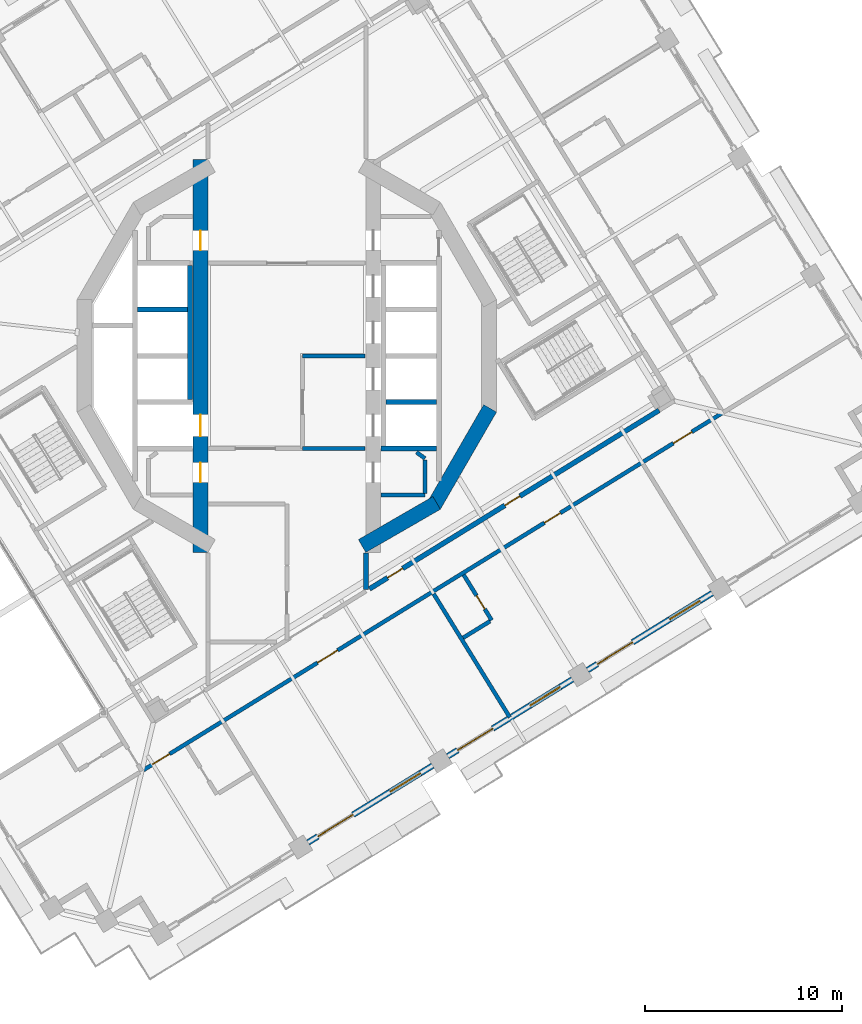
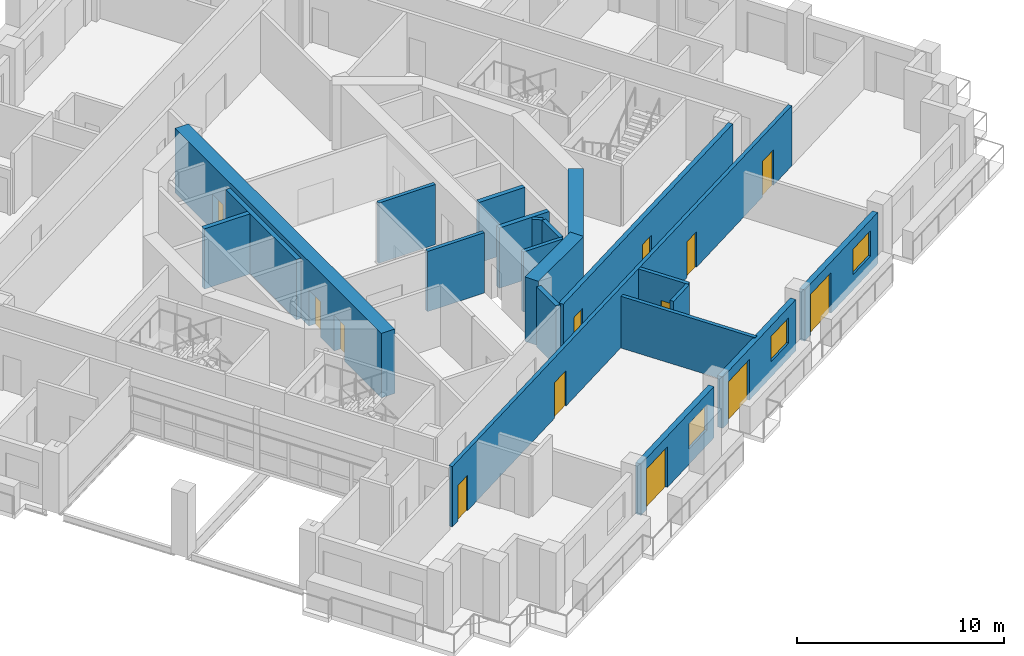
# One storey, part 9 of 22: 21 walls, 13 doors, 3 windows, 16 openings.
"""IFC4 building model written with IfcOpenShell, lengths in metres."""

from ifc_helpers import new_model, si_unit, direction, frame, frame_2d, origin, place, context, subcontext, project, spatial, rectangle, extrude, material, layer, layer_set, type_object, element, fill, save


model = new_model("IFC4")

# Units and contexts
model_context = context("Model", 3, precision=1e-05, world=origin(), true_north=direction((0.0, 1.0)))
body_context = subcontext(model_context, "Body", "Model", "MODEL_VIEW")
ifc_project = project(units=[si_unit("LENGTHUNIT", "METRE"), si_unit("AREAUNIT", "SQUARE_METRE"), si_unit("VOLUMEUNIT", "CUBIC_METRE"), si_unit("PLANEANGLEUNIT", "RADIAN"), si_unit("MASSUNIT", "GRAM", prefix="KILO")], contexts=[model_context])

# Site, building, storey
site_placement = place(None, origin())
site = spatial("IfcSite", under=ifc_project, at=site_placement, CompositionType="ELEMENT")
building_placement = place(site_placement, origin())
building = spatial("IfcBuilding", under=site, at=building_placement, Name="Cantera Rosa Tower", CompositionType="ELEMENT")
storey_placement = place(building_placement, frame((0.0, 0.0, 162.800048828125)))
storey = spatial("IfcBuildingStorey", under=building, at=storey_placement, Name="L35", CompositionType="ELEMENT", Elevation=162.800048828125)

# Wall, openings, doors
ifc_material_1 = material(Name="Gypsum board partition")
ifc_layer_1 = layer(ifc_material_1, 0.199951171875)
ifc_layer_set_1 = layer_set([ifc_layer_1], Name="CORRIDOR WALL 200 H3550")
wall_type_1 = type_object("IfcWallType", Name="CORRIDOR WALL 200 H3550", PredefinedType="PARTITIONING", material=ifc_layer_set_1)
wall_1_placement = place(storey_placement, frame((-7.26318359375, -20.98779296875, 0.0), z_axis=(0.0, 0.0, 1.0), x_axis=(0.851116274649, 0.524977225246, 0.0)))
wall_1 = element("IfcWall", 1, at=wall_1_placement, inside=storey, type_object=wall_type_1, Name="CORRIDOR WALL L35-040", PredefinedType="PARTITIONING", context=body_context, shape_type="SweptSolid", body=[
    extrude(rectangle(XDim=34.499755859375, YDim=0.199951171875, at=frame_2d((17.25, 0.0))), origin(), (0.0, 0.0, 1.0), 3.550048828125),
])
opening_1_placement = place(wall_1_placement, frame((10.360107421875, 0.0, 0.0)))
opening_1 = element("IfcOpeningElement", 2, at=opening_1_placement, cuts=wall_1, Name="Opening L35-041", PredefinedType="OPENING", context=body_context, shape_type="SweptSolid", body=[
    extrude(rectangle(XDim=1.199951171875, YDim=2.10009765625, at=frame_2d((0.60009765625, 1.050048828125))), frame((0.0, 0.10986328125, 0.0), z_axis=(0.0, -1.0, 0.0), x_axis=(1.0, 0.0, 0.0)), (0.0, 0.0, 1.0), 0.219970703125),
])
opening_2_placement = place(wall_1_placement, frame((23.864990234375, 0.0, 0.0)))
opening_2 = element("IfcOpeningElement", 3, at=opening_2_placement, cuts=wall_1, Name="Opening L35-042", PredefinedType="OPENING", context=body_context, shape_type="SweptSolid", body=[
    extrude(rectangle(XDim=0.949951171875, YDim=2.10009765625, at=frame_2d((0.47509765625, 1.050048828125))), frame((0.0, 0.10986328125, 0.0), z_axis=(0.0, -1.0, 0.0), x_axis=(1.0, 0.0, 0.0)), (0.0, 0.0, 1.0), 0.219970703125),
])
opening_3_placement = place(wall_1_placement, frame((0.550048828125, 0.0, 0.0)))
opening_3 = element("IfcOpeningElement", 4, at=opening_3_placement, cuts=wall_1, Name="Opening L35-044", PredefinedType="OPENING", context=body_context, shape_type="SweptSolid", body=[
    extrude(rectangle(XDim=1.0, YDim=2.10009765625, at=frame_2d((0.5, 1.050048828125))), frame((0.0, 0.10986328125, 0.0), z_axis=(0.0, -1.0, 0.0), x_axis=(1.0, 0.0, 0.0)), (0.0, 0.0, 1.0), 0.219970703125),
])
opening_4_placement = place(wall_1_placement, frame((31.5400390625, 0.0, 0.0)))
opening_4 = element("IfcOpeningElement", 5, at=opening_4_placement, cuts=wall_1, Name="Opening L35-046", PredefinedType="OPENING", context=body_context, shape_type="SweptSolid", body=[
    extrude(rectangle(XDim=1.10009765625, YDim=2.10009765625, at=frame_2d((0.550048828125, 1.050048828125))), frame((0.0, 0.10986328125, 0.0), z_axis=(0.0, -1.0, 0.0), x_axis=(1.0, 0.0, 0.0)), (0.0, 0.0, 1.0), 0.219970703125),
])
ifc_material_2 = material(Name="Timber door leaf", Category="wood")
door_type_1 = type_object("IfcDoorType", Name="ENTRANCE DOOR 1000x2100", OperationType="NOTDEFINED", PredefinedType="DOOR", material=ifc_material_2)
door_1_placement = place(opening_3_placement, origin())
door_1 = element("IfcDoor", 6, at=door_1_placement, inside=storey, type_object=door_type_1, Name="DOOR L35-044", OperationType="NOTDEFINED", OverallHeight=2.10009765625, OverallWidth=1.0, PredefinedType="DOOR", context=body_context, shape_type="SweptSolid", body=[
    extrude(rectangle(XDim=1.0, YDim=2.10009765625, at=frame_2d((0.5, 1.050048828125))), frame((0.0, 0.02490234375, 0.0), z_axis=(0.0, -1.0, 0.0), x_axis=(1.0, 0.0, 0.0)), (0.0, 0.0, 1.0), 0.050048828125),
])
fill(opening_3, door_1)
ifc_material_3 = material(Name="Timber door leaf", Category="wood")
door_type_2 = type_object("IfcDoorType", Name="ROOM DOOR 1100x2100", OperationType="NOTDEFINED", PredefinedType="DOOR", material=ifc_material_3)
door_2_placement = place(opening_4_placement, origin())
door_2 = element("IfcDoor", 7, at=door_2_placement, inside=storey, type_object=door_type_2, Name="DOOR L35-046", OperationType="NOTDEFINED", OverallHeight=2.10009765625, OverallWidth=1.10009765625, PredefinedType="DOOR", context=body_context, shape_type="SweptSolid", body=[
    extrude(rectangle(XDim=1.10009765625, YDim=2.10009765625, at=frame_2d((0.550048828125, 1.050048828125))), frame((0.0, 0.02490234375, 0.0), z_axis=(0.0, -1.0, 0.0), x_axis=(1.0, 0.0, 0.0)), (0.0, 0.0, 1.0), 0.050048828125),
])
fill(opening_4, door_2)
ifc_material_4 = material(Name="Timber door leaf", Category="wood")
door_type_3 = type_object("IfcDoorType", Name="ROOM DOOR 1200x2100", OperationType="NOTDEFINED", PredefinedType="DOOR", material=ifc_material_4)
door_3_placement = place(opening_1_placement, origin())
door_3 = element("IfcDoor", 8, at=door_3_placement, inside=storey, type_object=door_type_3, Name="DOOR L35-041", OperationType="NOTDEFINED", OverallHeight=2.10009765625, OverallWidth=1.199951171875, PredefinedType="DOOR", context=body_context, shape_type="SweptSolid", body=[
    extrude(rectangle(XDim=1.199951171875, YDim=2.10009765625, at=frame_2d((0.60009765625, 1.050048828125))), frame((0.0, 0.02490234375, 0.0), z_axis=(0.0, -1.0, 0.0), x_axis=(1.0, 0.0, 0.0)), (0.0, 0.0, 1.0), 0.050048828125),
])
fill(opening_1, door_3)
ifc_material_5 = material(Name="Timber door leaf", Category="wood")
door_type_4 = type_object("IfcDoorType", Name="ROOM DOOR 950x2100", OperationType="NOTDEFINED", PredefinedType="DOOR", material=ifc_material_5)
door_4_placement = place(opening_2_placement, origin())
door_4 = element("IfcDoor", 9, at=door_4_placement, inside=storey, type_object=door_type_4, Name="DOOR L35-042", OperationType="NOTDEFINED", OverallHeight=2.10009765625, OverallWidth=0.949951171875, PredefinedType="DOOR", context=body_context, shape_type="SweptSolid", body=[
    extrude(rectangle(XDim=0.949951171875, YDim=2.10009765625, at=frame_2d((0.47509765625, 1.050048828125))), frame((0.0, 0.02490234375, 0.0), z_axis=(0.0, -1.0, 0.0), x_axis=(1.0, 0.0, 0.0)), (0.0, 0.0, 1.0), 0.050048828125),
])
fill(opening_2, door_4)

# Wall, openings, window, door
ifc_material_6 = material(Name="Hollow clay masonry with cantera stone cladding", Category="masonry")
ifc_layer_2 = layer(ifc_material_6, 0.300048828125)
ifc_layer_set_2 = layer_set([ifc_layer_2], Name="EW-LOGGIA 300 H3020")
wall_type_2 = type_object("IfcWallType", Name="EW-LOGGIA 300 H3020", PredefinedType="SOLIDWALL", material=ifc_layer_set_2)
wall_2_placement = place(storey_placement, frame((1.07421875, -24.656982421875, 0.0), z_axis=(0.0, 0.0, 1.0), x_axis=(0.85112578684, 0.524961803349, 0.0)))
wall_2 = element("IfcWall", 10, at=wall_2_placement, inside=storey, type_object=wall_type_2, Name="EN-L35-W23", PredefinedType="SOLIDWALL", context=body_context, shape_type="SweptSolid", body=[
    extrude(rectangle(XDim=7.420166015625, YDim=0.300048828125, at=frame_2d((3.7099609375, 0.0))), origin(), (0.0, 0.0, 1.0), 3.02001953125),
])
opening_5_placement = place(wall_2_placement, frame((0.580078125, 0.0, 0.0)))
opening_5 = element("IfcOpeningElement", 11, at=opening_5_placement, cuts=wall_2, Name="Opening L35-TD29", PredefinedType="OPENING", context=body_context, shape_type="SweptSolid", body=[
    extrude(rectangle(XDim=2.10009765625, YDim=2.39990234375, at=frame_2d((1.050048828125, 1.199951171875))), frame((0.0, 0.159912109375, 0.0), z_axis=(0.0, -1.0, 0.0), x_axis=(1.0, 0.0, 0.0)), (0.0, 0.0, 1.0), 0.320068359375),
])
opening_6_placement = place(wall_2_placement, frame((4.889892578125, 0.0, 0.89990234375)))
opening_6 = element("IfcOpeningElement", 12, at=opening_6_placement, cuts=wall_2, Name="Opening L35-W30", PredefinedType="OPENING", context=body_context, shape_type="SweptSolid", body=[
    extrude(rectangle(XDim=1.800048828125, YDim=1.5, at=frame_2d((0.89990234375, 0.75))), frame((0.0, 0.159912109375, 0.0), z_axis=(0.0, -1.0, 0.0), x_axis=(1.0, 0.0, 0.0)), (0.0, 0.0, 1.0), 0.320068359375),
])
ifc_material_7 = material(Name="Aluminium frame with clear glass", Category="aluminium")
window_type = type_object("IfcWindowType", Name="Hotel room window 1800x1500", PartitioningType="DOUBLE_PANEL_VERTICAL", PredefinedType="WINDOW", material=ifc_material_7)
window_1_placement = place(opening_6_placement, origin())
window_1 = element("IfcWindow", 13, at=window_1_placement, inside=storey, type_object=window_type, Name="WINDOW L35-W30", OverallHeight=1.5, OverallWidth=1.800048828125, PartitioningType="SINGLE_PANEL", PredefinedType="WINDOW", context=body_context, shape_type="SweptSolid", body=[
    extrude(rectangle(XDim=1.800048828125, YDim=1.5, at=frame_2d((0.89990234375, 0.75))), frame((0.0, 0.030029296875, 0.0), z_axis=(0.0, -1.0, 0.0), x_axis=(1.0, 0.0, 0.0)), (0.0, 0.0, 1.0), 0.06005859375),
])
fill(opening_6, window_1)
ifc_material_8 = material(Name="Aluminium frame with clear glass", Category="aluminium")
door_type_5 = type_object("IfcDoorType", Name="TD-H 2100x2400", OperationType="NOTDEFINED", PredefinedType="DOOR", material=ifc_material_8)
door_5_placement = place(opening_5_placement, origin())
door_5 = element("IfcDoor", 14, at=door_5_placement, inside=storey, type_object=door_type_5, Name="LOGGIA DOOR L35-TD29", OperationType="SLIDING_TO_LEFT", OverallHeight=2.39990234375, OverallWidth=2.10009765625, PredefinedType="DOOR", context=body_context, shape_type="SweptSolid", body=[
    extrude(rectangle(XDim=2.10009765625, YDim=2.39990234375, at=frame_2d((1.050048828125, 1.199951171875))), frame((0.0, 0.02490234375, 0.0), z_axis=(0.0, -1.0, 0.0), x_axis=(1.0, 0.0, 0.0)), (0.0, 0.0, 1.0), 0.050048828125),
])
fill(opening_5, door_5)

wall_3_placement = place(storey_placement, frame((8.155517578125, -20.289306640625, 0.0), z_axis=(0.0, 0.0, 1.0), x_axis=(0.851111085575, 0.524985637909, 0.0)))
wall_3 = element("IfcWall", 15, at=wall_3_placement, inside=storey, type_object=wall_type_2, Name="EN-L35-W24", PredefinedType="SOLIDWALL", context=body_context, shape_type="SweptSolid", body=[
    extrude(rectangle(XDim=7.420166015625, YDim=0.300048828125, at=frame_2d((3.7099609375, 0.0))), origin(), (0.0, 0.0, 1.0), 3.02001953125),
])
opening_7_placement = place(wall_3_placement, frame((0.580078125, 0.0, 0.0)))
opening_7 = element("IfcOpeningElement", 16, at=opening_7_placement, cuts=wall_3, Name="Opening L35-TD31", PredefinedType="OPENING", context=body_context, shape_type="SweptSolid", body=[
    extrude(rectangle(XDim=2.10009765625, YDim=2.39990234375, at=frame_2d((1.050048828125, 1.199951171875))), frame((0.0, 0.159912109375, 0.0), z_axis=(0.0, -1.0, 0.0), x_axis=(1.0, 0.0, 0.0)), (0.0, 0.0, 1.0), 0.320068359375),
])
opening_8_placement = place(wall_3_placement, frame((4.889892578125, 0.0, 0.89990234375)))
opening_8 = element("IfcOpeningElement", 17, at=opening_8_placement, cuts=wall_3, Name="Opening L35-W32", PredefinedType="OPENING", context=body_context, shape_type="SweptSolid", body=[
    extrude(rectangle(XDim=1.800048828125, YDim=1.5, at=frame_2d((0.89990234375, 0.75))), frame((0.0, 0.159912109375, 0.0), z_axis=(0.0, -1.0, 0.0), x_axis=(1.0, 0.0, 0.0)), (0.0, 0.0, 1.0), 0.320068359375),
])
window_2_placement = place(opening_8_placement, origin())
window_2 = element("IfcWindow", 18, at=window_2_placement, inside=storey, type_object=window_type, Name="WINDOW L35-W32", OverallHeight=1.5, OverallWidth=1.800048828125, PartitioningType="SINGLE_PANEL", PredefinedType="WINDOW", context=body_context, shape_type="SweptSolid", body=[
    extrude(rectangle(XDim=1.800048828125, YDim=1.5, at=frame_2d((0.89990234375, 0.75))), frame((0.0, 0.030029296875, 0.0), z_axis=(0.0, -1.0, 0.0), x_axis=(1.0, 0.0, 0.0)), (0.0, 0.0, 1.0), 0.06005859375),
])
fill(opening_8, window_2)
door_6_placement = place(opening_7_placement, origin())
door_6 = element("IfcDoor", 19, at=door_6_placement, inside=storey, type_object=door_type_5, Name="LOGGIA DOOR L35-TD31", OperationType="SLIDING_TO_LEFT", OverallHeight=2.39990234375, OverallWidth=2.10009765625, PredefinedType="DOOR", context=body_context, shape_type="SweptSolid", body=[
    extrude(rectangle(XDim=2.10009765625, YDim=2.39990234375, at=frame_2d((1.050048828125, 1.199951171875))), frame((0.0, 0.02490234375, 0.0), z_axis=(0.0, -1.0, 0.0), x_axis=(1.0, 0.0, 0.0)), (0.0, 0.0, 1.0), 0.050048828125),
])
fill(opening_7, door_6)

wall_4_placement = place(storey_placement, frame((15.23681640625, -15.92138671875, 0.0), z_axis=(0.0, 0.0, 1.0), x_axis=(0.85112578684, 0.524961803349, 0.0)))
wall_4 = element("IfcWall", 20, at=wall_4_placement, inside=storey, type_object=wall_type_2, Name="EN-L35-W25", PredefinedType="SOLIDWALL", context=body_context, shape_type="SweptSolid", body=[
    extrude(rectangle(XDim=7.420166015625, YDim=0.300048828125, at=frame_2d((3.7099609375, 0.0))), origin(), (0.0, 0.0, 1.0), 3.02001953125),
])
opening_9_placement = place(wall_4_placement, frame((0.580078125, 0.0, 0.0)))
opening_9 = element("IfcOpeningElement", 21, at=opening_9_placement, cuts=wall_4, Name="Opening L35-TD33", PredefinedType="OPENING", context=body_context, shape_type="SweptSolid", body=[
    extrude(rectangle(XDim=2.10009765625, YDim=2.39990234375, at=frame_2d((1.050048828125, 1.199951171875))), frame((0.0, 0.159912109375, 0.0), z_axis=(0.0, -1.0, 0.0), x_axis=(1.0, 0.0, 0.0)), (0.0, 0.0, 1.0), 0.320068359375),
])
opening_10_placement = place(wall_4_placement, frame((4.889892578125, 0.0, 0.89990234375)))
opening_10 = element("IfcOpeningElement", 22, at=opening_10_placement, cuts=wall_4, Name="Opening L35-W34", PredefinedType="OPENING", context=body_context, shape_type="SweptSolid", body=[
    extrude(rectangle(XDim=1.800048828125, YDim=1.5, at=frame_2d((0.89990234375, 0.75))), frame((0.0, 0.159912109375, 0.0), z_axis=(0.0, -1.0, 0.0), x_axis=(1.0, 0.0, 0.0)), (0.0, 0.0, 1.0), 0.320068359375),
])
window_3_placement = place(opening_10_placement, origin())
window_3 = element("IfcWindow", 23, at=window_3_placement, inside=storey, type_object=window_type, Name="WINDOW L35-W34", OverallHeight=1.5, OverallWidth=1.800048828125, PartitioningType="SINGLE_PANEL", PredefinedType="WINDOW", context=body_context, shape_type="SweptSolid", body=[
    extrude(rectangle(XDim=1.800048828125, YDim=1.5, at=frame_2d((0.89990234375, 0.75))), frame((0.0, 0.030029296875, 0.0), z_axis=(0.0, -1.0, 0.0), x_axis=(1.0, 0.0, 0.0)), (0.0, 0.0, 1.0), 0.06005859375),
])
fill(opening_10, window_3)
door_7_placement = place(opening_9_placement, origin())
door_7 = element("IfcDoor", 24, at=door_7_placement, inside=storey, type_object=door_type_5, Name="LOGGIA DOOR L35-TD33", OperationType="SLIDING_TO_LEFT", OverallHeight=2.39990234375, OverallWidth=2.10009765625, PredefinedType="DOOR", context=body_context, shape_type="SweptSolid", body=[
    extrude(rectangle(XDim=2.10009765625, YDim=2.39990234375, at=frame_2d((1.050048828125, 1.199951171875))), frame((0.0, 0.02490234375, 0.0), z_axis=(0.0, -1.0, 0.0), x_axis=(1.0, 0.0, 0.0)), (0.0, 0.0, 1.0), 0.050048828125),
])
fill(opening_9, door_7)

# Walls
ifc_material_9 = material(Name="Gypsum board partition")
ifc_layer_3 = layer(ifc_material_9, 0.199951171875)
ifc_layer_set_3 = layer_set([ifc_layer_3], Name="PARTITION 200 H3550")
wall_type_3 = type_object("IfcWallType", Name="PARTITION 200 H3550", PredefinedType="PARTITIONING", material=ifc_layer_set_3)
wall_5_placement = place(storey_placement, frame((6.572509765625, -4.888427734375, 0.0), z_axis=(0.0, 0.0, 1.0), x_axis=(0.808176867567, -0.588939853236, 0.0)))
element("IfcWall", 25, at=wall_5_placement, inside=storey, type_object=wall_type_3, Name="PARTITION L35-084", PredefinedType="PARTITIONING", context=body_context, shape_type="SweptSolid", body=[
    extrude(rectangle(XDim=0.529052734375, YDim=0.199951171875, at=frame_2d((0.2646484375, 0.0))), origin(), (0.0, 0.0, 1.0), 3.550048828125),
])
wall_6_placement = place(storey_placement, frame((7.0, -7.050048828125, 0.0), z_axis=(0.0, 0.0, 1.0), x_axis=(-1.0, 0.0, 0.0)))
element("IfcWall", 26, at=wall_6_placement, inside=storey, type_object=wall_type_3, Name="PARTITION L35-087", PredefinedType="PARTITIONING", context=body_context, shape_type="SweptSolid", body=[
    extrude(rectangle(XDim=2.219970703125, YDim=0.199951171875, at=frame_2d((1.10986328125, 0.0))), origin(), (0.0, 0.0, 1.0), 3.550048828125),
])
wall_7_placement = place(storey_placement, frame((7.0, -5.280029296875, 0.0), z_axis=(0.0, 0.0, 1.0), x_axis=(0.0, -1.0, 0.0)))
element("IfcWall", 27, at=wall_7_placement, inside=storey, type_object=wall_type_3, Name="PARTITION L35-088", PredefinedType="PARTITIONING", context=body_context, shape_type="SweptSolid", body=[
    extrude(rectangle(XDim=1.68994140625, YDim=0.199951171875, at=frame_2d((0.844970703125, 0.0))), origin(), (0.0, 0.0, 1.0), 3.550048828125),
])

# Wall, opening, door
wall_8_placement = place(storey_placement, frame((8.96044921875, -11.098388671875, 0.0), z_axis=(0.0, 0.0, 1.0), x_axis=(0.524974952644, -0.85111767641, 0.0)))
wall_8 = element("IfcWall", 28, at=wall_8_placement, inside=storey, type_object=wall_type_3, Name="PARTITION L35-096", PredefinedType="PARTITIONING", context=body_context, shape_type="SweptSolid", body=[
    extrude(rectangle(XDim=2.7001953125, YDim=0.199951171875, at=frame_2d((1.35009765625, 0.0))), origin(), (0.0, 0.0, 1.0), 3.550048828125),
])
opening_11_placement = place(wall_8_placement, frame((1.236083984375, 0.0, 0.0)))
opening_11 = element("IfcOpeningElement", 29, at=opening_11_placement, cuts=wall_8, Name="Opening L35-043", PredefinedType="OPENING", context=body_context, shape_type="SweptSolid", body=[
    extrude(rectangle(XDim=0.800048828125, YDim=2.10009765625, at=frame_2d((0.39990234375, 1.050048828125))), frame((0.0, 0.10986328125, 0.0), z_axis=(0.0, -1.0, 0.0), x_axis=(1.0, 0.0, 0.0)), (0.0, 0.0, 1.0), 0.219970703125),
])
ifc_material_10 = material(Name="Timber door leaf", Category="wood")
door_type_6 = type_object("IfcDoorType", Name="BATHROOM DOOR 800x2100", OperationType="NOTDEFINED", PredefinedType="DOOR", material=ifc_material_10)
door_8_placement = place(opening_11_placement, origin())
door_8 = element("IfcDoor", 30, at=door_8_placement, inside=storey, type_object=door_type_6, Name="DOOR L35-043", OperationType="NOTDEFINED", OverallHeight=2.10009765625, OverallWidth=0.800048828125, PredefinedType="DOOR", context=body_context, shape_type="SweptSolid", body=[
    extrude(rectangle(XDim=0.800048828125, YDim=2.10009765625, at=frame_2d((0.39990234375, 1.050048828125))), frame((0.0, 0.02490234375, 0.0), z_axis=(0.0, -1.0, 0.0), x_axis=(1.0, 0.0, 0.0)), (0.0, 0.0, 1.0), 0.050048828125),
])
fill(opening_11, door_8)

# Walls
wall_9_placement = place(storey_placement, frame((10.292724609375, -13.448974609375, 0.0), z_axis=(0.0, 0.0, 1.0), x_axis=(-0.851154962238, -0.524914498045, 0.0)))
element("IfcWall", 31, at=wall_9_placement, inside=storey, type_object=wall_type_3, Name="PARTITION L35-098", PredefinedType="PARTITIONING", context=body_context, shape_type="SweptSolid", body=[
    extrude(rectangle(XDim=1.599853515625, YDim=0.199951171875, at=frame_2d((0.7998046875, 0.0))), origin(), (0.0, 0.0, 1.0), 3.550048828125),
])
ifc_material_11 = material(Name="Gypsum board partition")
ifc_layer_4 = layer(ifc_material_11, 0.199951171875)
ifc_layer_set_4 = layer_set([ifc_layer_4], Name="PARTY WALL 200 H3050")
wall_type_4 = type_object("IfcWallType", Name="PARTY WALL 200 H3050", PredefinedType="PARTITIONING", material=ifc_layer_set_4)
wall_10_placement = place(storey_placement, frame((7.43896484375, -12.060302734375, 0.0), z_axis=(0.0, 0.0, 1.0), x_axis=(0.52498856982, -0.851109277096, 0.0)))
element("IfcWall", 32, at=wall_10_placement, inside=storey, type_object=wall_type_4, Name="PARTY WALL L35-092", PredefinedType="PARTITIONING", context=body_context, shape_type="SweptSolid", body=[
    extrude(rectangle(XDim=7.349853515625, YDim=0.199951171875, at=frame_2d((3.6748046875, 0.0))), origin(), (0.0, 0.0, 1.0), 3.050048828125),
])

# Wall, openings, doors
ifc_material_12 = material(Name="Concrete C60/75", Category="concrete")
ifc_layer_5 = layer(ifc_material_12, 0.75)
ifc_layer_set_5 = layer_set([ifc_layer_5], Name="RC CORE WALL 750 C60/75")
wall_type_5 = type_object("IfcWallType", Name="RC CORE WALL 750 C60/75", PredefinedType="SHEAR", material=ifc_layer_set_5)
wall_11_placement = place(storey_placement, frame((-4.375, 9.95947265625, 0.0), z_axis=(0.0, 0.0, 1.0), x_axis=(0.0, -1.0, 0.0)))
wall_11 = element("IfcWall", 33, at=wall_11_placement, inside=storey, type_object=wall_type_5, Name="CW-W6 L35", PredefinedType="SHEAR", context=body_context, shape_type="SweptSolid", body=[
    extrude(rectangle(XDim=19.9189453125, YDim=0.75, at=frame_2d((9.95947265625, 0.0))), origin(), (0.0, 0.0, 1.0), 3.800048828125),
])
opening_12_placement = place(wall_11_placement, frame((12.9345703125, 0.0, 0.0)))
opening_12 = element("IfcOpeningElement", 34, at=opening_12_placement, cuts=wall_11, Name="Opening LD-P3-L35", PredefinedType="OPENING", context=body_context, shape_type="SweptSolid", body=[
    extrude(rectangle(XDim=1.10009765625, YDim=2.10009765625, at=frame_2d((0.550048828125, 1.050048828125))), frame((0.0, 0.385009765625, 0.0), z_axis=(0.0, -1.0, 0.0), x_axis=(1.0, 0.0, 0.0)), (0.0, 0.0, 1.0), 0.77001953125),
])
opening_13_placement = place(wall_11_placement, frame((15.368408203125, 0.0, 0.0)))
opening_13 = element("IfcOpeningElement", 35, at=opening_13_placement, cuts=wall_11, Name="Opening SD-L35-17", PredefinedType="OPENING", context=body_context, shape_type="SweptSolid", body=[
    extrude(rectangle(XDim=1.0, YDim=2.10009765625, at=frame_2d((0.5, 1.050048828125))), frame((0.0, 0.385009765625, 0.0), z_axis=(0.0, -1.0, 0.0), x_axis=(1.0, 0.0, 0.0)), (0.0, 0.0, 1.0), 0.77001953125),
])
opening_14_placement = place(wall_11_placement, frame((3.618408203125, 0.0, 0.0)))
opening_14 = element("IfcOpeningElement", 36, at=opening_14_placement, cuts=wall_11, Name="Opening SD-L35-18", PredefinedType="OPENING", context=body_context, shape_type="SweptSolid", body=[
    extrude(rectangle(XDim=1.0, YDim=2.10009765625, at=frame_2d((0.5, 1.050048828125))), frame((0.0, 0.385009765625, 0.0), z_axis=(0.0, -1.0, 0.0), x_axis=(1.0, 0.0, 0.0)), (0.0, 0.0, 1.0), 0.77001953125),
])
ifc_material_13 = material(Name="Steel S355J2 (EN 10025-2)", Category="steel")
door_type_7 = type_object("IfcDoorType", Name="LANDING DOOR 1100x2100", OperationType="NOTDEFINED", PredefinedType="DOOR", material=ifc_material_13)
door_9_placement = place(opening_12_placement, origin())
door_9 = element("IfcDoor", 37, at=door_9_placement, inside=storey, type_object=door_type_7, Name="LANDING DOOR P3 L35", OperationType="SLIDING_TO_LEFT", OverallHeight=2.10009765625, OverallWidth=1.10009765625, PredefinedType="DOOR", context=body_context, shape_type="SweptSolid", body=[
    extrude(rectangle(XDim=1.10009765625, YDim=2.10009765625, at=frame_2d((0.550048828125, 1.050048828125))), frame((0.0, 0.02490234375, 0.0), z_axis=(0.0, -1.0, 0.0), x_axis=(1.0, 0.0, 0.0)), (0.0, 0.0, 1.0), 0.050048828125),
])
fill(opening_12, door_9)
ifc_material_14 = material(Name="Timber door leaf", Category="wood")
door_type_8 = type_object("IfcDoorType", Name="SERVICE DOOR 1000x2100", OperationType="NOTDEFINED", PredefinedType="DOOR", material=ifc_material_14)
door_10_placement = place(opening_13_placement, origin())
door_10 = element("IfcDoor", 38, at=door_10_placement, inside=storey, type_object=door_type_8, Name="DOOR L35-SD17", OperationType="NOTDEFINED", OverallHeight=2.10009765625, OverallWidth=1.0, PredefinedType="DOOR", context=body_context, shape_type="SweptSolid", body=[
    extrude(rectangle(XDim=1.0, YDim=2.10009765625, at=frame_2d((0.5, 1.050048828125))), frame((0.0, 0.02490234375, 0.0), z_axis=(0.0, -1.0, 0.0), x_axis=(1.0, 0.0, 0.0)), (0.0, 0.0, 1.0), 0.050048828125),
])
fill(opening_13, door_10)
door_11_placement = place(opening_14_placement, origin())
door_11 = element("IfcDoor", 39, at=door_11_placement, inside=storey, type_object=door_type_8, Name="DOOR L35-SD18", OperationType="NOTDEFINED", OverallHeight=2.10009765625, OverallWidth=1.0, PredefinedType="DOOR", context=body_context, shape_type="SweptSolid", body=[
    extrude(rectangle(XDim=1.0, YDim=2.10009765625, at=frame_2d((0.5, 1.050048828125))), frame((0.0, 0.02490234375, 0.0), z_axis=(0.0, -1.0, 0.0), x_axis=(1.0, 0.0, 0.0)), (0.0, 0.0, 1.0), 0.050048828125),
])
fill(opening_14, door_11)

# Walls
wall_12_placement = place(storey_placement, frame((10.300537109375, -2.659423828125, 0.0), z_axis=(0.0, 0.0, 1.0), x_axis=(-0.500021842983, -0.866012792365, 0.0)))
element("IfcWall", 40, at=wall_12_placement, inside=storey, type_object=wall_type_5, Name="CW-E4 L35", PredefinedType="SHEAR", context=body_context, shape_type="SweptSolid", body=[
    extrude(rectangle(XDim=5.694091796875, YDim=0.75, at=frame_2d((2.84716796875, 0.0))), origin(), (0.0, 0.0, 1.0), 3.800048828125),
])
wall_13_placement = place(storey_placement, frame((7.590576171875, -7.453369140625, 0.0), z_axis=(0.0, 0.0, 1.0), x_axis=(-0.866013176292, -0.50002117804, 0.0)))
element("IfcWall", 41, at=wall_13_placement, inside=storey, type_object=wall_type_5, Name="CW-E5 L35", PredefinedType="SHEAR", context=body_context, shape_type="SweptSolid", body=[
    extrude(rectangle(XDim=4.362548828125, YDim=0.75, at=frame_2d((2.18115234375, 0.0))), origin(), (0.0, 0.0, 1.0), 3.800048828125),
])
ifc_material_15 = material(Name="Masonry blockwork", Category="masonry")
ifc_layer_6 = layer(ifc_material_15, 0.25)
ifc_layer_set_6 = layer_set([ifc_layer_6], Name="SHAFT WALL 250 H3550")
wall_type_6 = type_object("IfcWallType", Name="SHAFT WALL 250 H3550", PredefinedType="SOLIDWALL", material=ifc_layer_set_6)
wall_14_placement = place(storey_placement, frame((-7.574951171875, 2.35009765625, 0.0), z_axis=(0.0, 0.0, 1.0), x_axis=(1.0, 0.0, 0.0)))
element("IfcWall", 42, at=wall_14_placement, inside=storey, type_object=wall_type_6, Name="SHAFT WALL L35-036", PredefinedType="SOLIDWALL", context=body_context, shape_type="SweptSolid", body=[
    extrude(rectangle(XDim=2.550048828125, YDim=0.25, at=frame_2d((1.27490234375, 0.0))), origin(), (0.0, 0.0, 1.0), 3.550048828125),
])
wall_15_placement = place(storey_placement, frame((-4.89990234375, 4.580078125, 0.0), z_axis=(0.0, 0.0, 1.0), x_axis=(0.0, -1.0, 0.0)))
element("IfcWall", 43, at=wall_15_placement, inside=storey, type_object=wall_type_6, Name="SHAFT WALL L35-051", PredefinedType="SOLIDWALL", context=body_context, shape_type="SweptSolid", body=[
    extrude(rectangle(XDim=6.80517578125, YDim=0.25, at=frame_2d((3.402587890625, 0.0))), origin(), (0.0, 0.0, 1.0), 3.550048828125),
])
wall_16_placement = place(storey_placement, frame((4.0, -11.845703125, 0.0), z_axis=(0.0, 0.0, 1.0), x_axis=(0.0, 1.0, 0.0)))
element("IfcWall", 44, at=wall_16_placement, inside=storey, type_object=wall_type_6, Name="SHAFT WALL L35-074", PredefinedType="SOLIDWALL", context=body_context, shape_type="SweptSolid", body=[
    extrude(rectangle(XDim=1.8515625, YDim=0.25, at=frame_2d((0.92578125, 0.0))), origin(), (0.0, 0.0, 1.0), 3.550048828125),
])

# Wall, openings, doors
wall_17_placement = place(storey_placement, frame((4.187255859375, -11.81005859375, 0.0), z_axis=(0.0, 0.0, 1.0), x_axis=(0.851119501836, 0.524971993153, 0.0)))
wall_17 = element("IfcWall", 45, at=wall_17_placement, inside=storey, type_object=wall_type_6, Name="SHAFT WALL L35-075", PredefinedType="SOLIDWALL", context=body_context, shape_type="SweptSolid", body=[
    extrude(rectangle(XDim=17.236328125, YDim=0.25, at=frame_2d((8.6181640625, 0.0))), origin(), (0.0, 0.0, 1.0), 3.550048828125),
])
opening_15_placement = place(wall_17_placement, frame((1.07568359375, 0.0, 0.0)))
opening_15 = element("IfcOpeningElement", 46, at=opening_15_placement, cuts=wall_17, Name="Opening L35-010", PredefinedType="OPENING", context=body_context, shape_type="SweptSolid", body=[
    extrude(rectangle(XDim=0.89990234375, YDim=2.10009765625, at=frame_2d((0.449951171875, 1.050048828125))), frame((0.0, 0.135009765625, 0.0), z_axis=(0.0, -1.0, 0.0), x_axis=(1.0, 0.0, 0.0)), (0.0, 0.0, 1.0), 0.27001953125),
])
opening_16_placement = place(wall_17_placement, frame((8.05810546875, 0.0, 0.0)))
opening_16 = element("IfcOpeningElement", 47, at=opening_16_placement, cuts=wall_17, Name="Opening L35-047", PredefinedType="OPENING", context=body_context, shape_type="SweptSolid", body=[
    extrude(rectangle(XDim=0.89990234375, YDim=2.10009765625, at=frame_2d((0.449951171875, 1.050048828125))), frame((0.0, 0.135009765625, 0.0), z_axis=(0.0, -1.0, 0.0), x_axis=(1.0, 0.0, 0.0)), (0.0, 0.0, 1.0), 0.27001953125),
])
ifc_material_16 = material(Name="Timber door leaf", Category="wood")
door_type_9 = type_object("IfcDoorType", Name="SERVICE DOOR 900x2100", OperationType="NOTDEFINED", PredefinedType="DOOR", material=ifc_material_16)
door_12_placement = place(opening_15_placement, origin())
door_12 = element("IfcDoor", 48, at=door_12_placement, inside=storey, type_object=door_type_9, Name="RISER DOOR L35-010", OperationType="NOTDEFINED", OverallHeight=2.10009765625, OverallWidth=0.89990234375, PredefinedType="DOOR", context=body_context, shape_type="SweptSolid", body=[
    extrude(rectangle(XDim=0.89990234375, YDim=2.10009765625, at=frame_2d((0.449951171875, 1.050048828125))), frame((0.0, 0.02490234375, 0.0), z_axis=(0.0, -1.0, 0.0), x_axis=(1.0, 0.0, 0.0)), (0.0, 0.0, 1.0), 0.050048828125),
])
fill(opening_15, door_12)
door_13_placement = place(opening_16_placement, origin())
door_13 = element("IfcDoor", 49, at=door_13_placement, inside=storey, type_object=door_type_9, Name="RISER DOOR L35-047", OperationType="NOTDEFINED", OverallHeight=2.10009765625, OverallWidth=0.89990234375, PredefinedType="DOOR", context=body_context, shape_type="SweptSolid", body=[
    extrude(rectangle(XDim=0.89990234375, YDim=2.10009765625, at=frame_2d((0.449951171875, 1.050048828125))), frame((0.0, 0.02490234375, 0.0), z_axis=(0.0, -1.0, 0.0), x_axis=(1.0, 0.0, 0.0)), (0.0, 0.0, 1.0), 0.050048828125),
])
fill(opening_16, door_13)

# Walls
wall_18_placement = place(storey_placement, frame((7.574951171875, -4.699951171875, 0.0), z_axis=(0.0, 0.0, 1.0), x_axis=(-1.0, 0.0, 0.0)))
element("IfcWall", 50, at=wall_18_placement, inside=storey, type_object=wall_type_6, Name="SHAFT WALL L35-094", PredefinedType="SOLIDWALL", context=body_context, shape_type="SweptSolid", body=[
    extrude(rectangle(XDim=2.794921875, YDim=0.25, at=frame_2d((1.3974609375, 0.0))), origin(), (0.0, 0.0, 1.0), 3.550048828125),
])
wall_19_placement = place(storey_placement, frame((7.574951171875, -2.35009765625, 0.0), z_axis=(0.0, 0.0, 1.0), x_axis=(-1.0, 0.0, 0.0)))
element("IfcWall", 51, at=wall_19_placement, inside=storey, type_object=wall_type_6, Name="SHAFT WALL L35-095", PredefinedType="SOLIDWALL", context=body_context, shape_type="SweptSolid", body=[
    extrude(rectangle(XDim=2.56005859375, YDim=0.25, at=frame_2d((1.280029296875, 0.0))), origin(), (0.0, 0.0, 1.0), 3.550048828125),
])
ifc_material_17 = material(Name="Concrete C50/60", Category="concrete")
ifc_layer_7 = layer(ifc_material_17, 0.199951171875)
ifc_layer_set_7 = layer_set([ifc_layer_7], Name="STAIR WALL 200 H3550")
wall_type_7 = type_object("IfcWallType", Name="STAIR WALL 200 H3550", PredefinedType="SOLIDWALL", material=ifc_layer_set_7)
for number, where, z_axis, x_axis, name in (
    (52, (0.800048828125, 0.0, 0.0), (0.0, 0.0, 1.0), (1.0, 0.0, 0.0), "STAIR WALL L35-070"),
    (53, (3.969970703125, -4.699951171875, 0.0), (0.0, 0.0, 1.0), (-1.0, 0.0, 0.0), "STAIR WALL L35-073"),
):
    element("IfcWall", number, at=place(storey_placement, frame(where, z_axis=z_axis, x_axis=x_axis)), inside=storey, type_object=wall_type_7, Name=name, PredefinedType="SOLIDWALL", context=body_context, shape_type="SweptSolid", body=[
        extrude(rectangle(XDim=3.169921875, YDim=0.199951171875, at=frame_2d((1.5849609375, 0.0))), origin(), (0.0, 0.0, 1.0), 3.550048828125),
    ])

save(model, "model.ifc")
